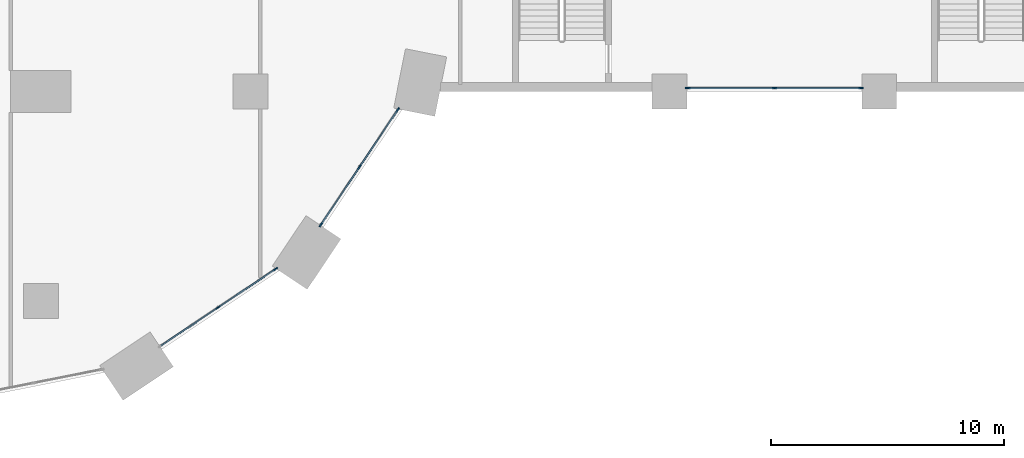
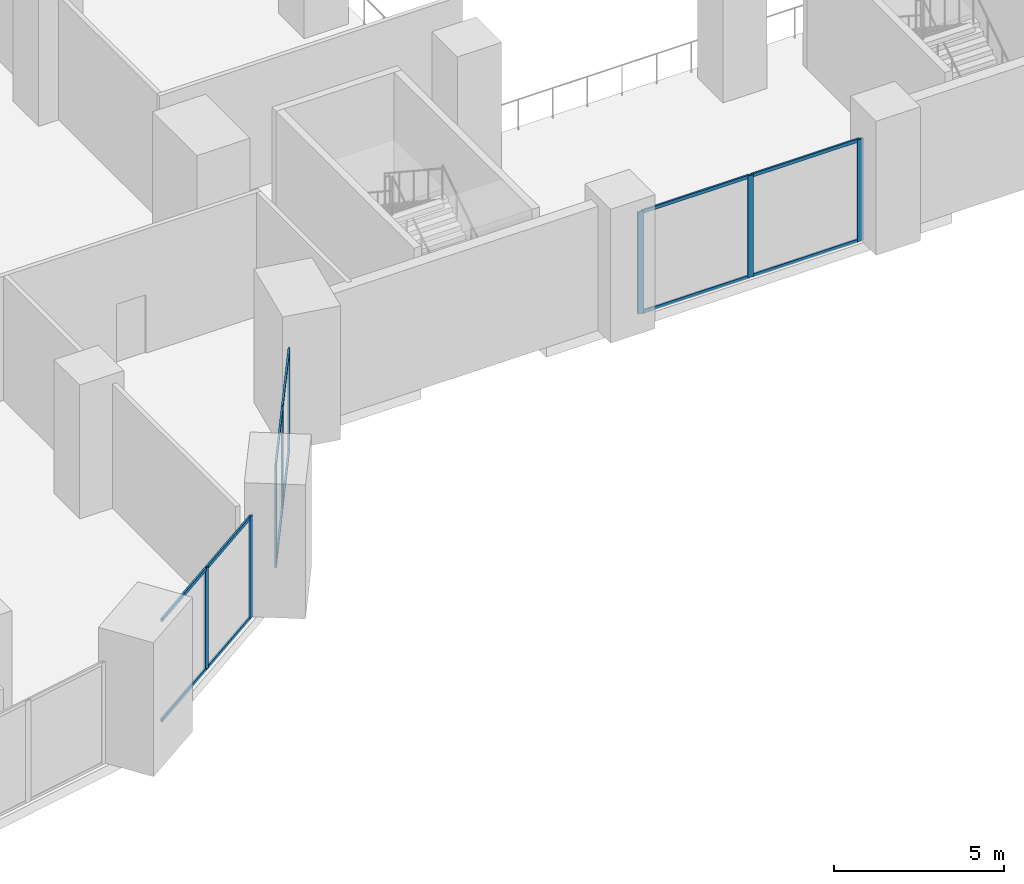
# One storey, part 3 of 49: 20 members, 3 elements without a shape of their own.
"""IFC4 building model written with IfcOpenShell, lengths in metres."""

from ifc_helpers import new_model, si_unit, direction, frame, origin, origin_2d, place, context, subcontext, project, spatial, rectangle, extrude, material, material_profile, profile_set, type_object, element, aggregate, save


model = new_model("IFC4")

# Units and contexts
model_context = context("Model", 3, precision=1e-05, world=origin(), true_north=direction((0.0, 1.0)))
body_context = subcontext(model_context, "Body", "Model", "MODEL_VIEW")
ifc_project = project(units=[si_unit("LENGTHUNIT", "METRE"), si_unit("AREAUNIT", "SQUARE_METRE"), si_unit("VOLUMEUNIT", "CUBIC_METRE"), si_unit("PLANEANGLEUNIT", "RADIAN"), si_unit("MASSUNIT", "GRAM", prefix="KILO")], contexts=[model_context])

# Site, building, storey
site_placement = place(None, origin())
site = spatial("IfcSite", under=ifc_project, at=site_placement, CompositionType="ELEMENT")
building_placement = place(site_placement, origin())
building = spatial("IfcBuilding", under=site, at=building_placement, Name="Hunhe Ridgeline Campus", CompositionType="ELEMENT")
storey_placement = place(building_placement, frame((0.0, 0.0, 21.60009765625)))
storey = spatial("IfcBuildingStorey", under=building, at=storey_placement, Name="L04", CompositionType="ELEMENT", Elevation=21.60009765625)

# Curtain wall, members
ifc_material_1 = material(Name="Aluminium and glass", Category="aluminium")
curtain_wall_type = type_object("IfcCurtainWallType", Name="Podium curtain wall CW-2", PredefinedType="NOTDEFINED", material=ifc_material_1)
curtain_wall_1_placement = place(storey_placement, origin())
curtain_wall_1 = element("IfcCurtainWall", 1, at=curtain_wall_1_placement, inside=storey, type_object=curtain_wall_type, Name="L04 podium curtain wall 14", PredefinedType="NOTDEFINED")
ifc_material_2 = material(Name="Aluminium", Category="aluminium")
ifc_material_profile_1 = material_profile(ifc_material_2, rectangle(XDim=0.06005859375, YDim=0.199951171875, at=origin_2d()))
ifc_profile_set_1 = profile_set([ifc_material_profile_1], Name="Aluminium")
member_type_1 = type_object("IfcMemberType", Name="CW-2 mullion 60x200", PredefinedType="MULLION", material=ifc_profile_set_1)
member_1_placement = place(storey_placement, frame((34.6064453125, 8.729248046875, 0.0), z_axis=(0.0, 0.0, 1.0), x_axis=(-0.555579224709, 0.831463604177, 0.0)))
member_1 = element("IfcMember", 2, at=member_1_placement, type_object=member_type_1, Name="CW2 mullion 2", PredefinedType="MULLION", context=body_context, shape_type="SweptSolid", body=[
    extrude(rectangle(XDim=0.06005859375, YDim=0.199951171875, at=origin_2d()), origin(), (0.0, 0.0, 1.0), 3.64990234375),
])
member_2_placement = place(storey_placement, frame((37.080078125, 10.3818359375, 0.0), z_axis=(0.0, 0.0, 1.0), x_axis=(-0.555579224709, 0.831463604177, 0.0)))
member_2 = element("IfcMember", 3, at=member_2_placement, type_object=member_type_1, Name="CW2 mullion 3", PredefinedType="MULLION", context=body_context, shape_type="SweptSolid", body=[
    extrude(rectangle(XDim=0.06005859375, YDim=0.199951171875, at=origin_2d()), origin(), (0.0, 0.0, 1.0), 3.64990234375),
])

curtain_wall_2_placement = place(storey_placement, origin())
curtain_wall_2 = element("IfcCurtainWall", 4, at=curtain_wall_2_placement, inside=storey, type_object=curtain_wall_type, Name="L04 podium curtain wall 15", PredefinedType="NOTDEFINED")
member_3_placement = place(storey_placement, frame((39.024169921875, 12.279296875, 0.0), z_axis=(0.0, 0.0, 1.0), x_axis=(-0.831468740176, 0.555571538247, 0.0)))
member_3 = element("IfcMember", 5, at=member_3_placement, type_object=member_type_1, Name="CW2 mullion 1", PredefinedType="MULLION", context=body_context, shape_type="SweptSolid", body=[
    extrude(rectangle(XDim=0.06005859375, YDim=0.199951171875, at=origin_2d()), origin(), (0.0, 0.0, 1.0), 3.64990234375),
])
member_4_placement = place(storey_placement, frame((40.6767578125, 14.752685546875, 0.0), z_axis=(0.0, 0.0, 1.0), x_axis=(-0.831468740176, 0.555571538247, 0.0)))
member_4 = element("IfcMember", 6, at=member_4_placement, type_object=member_type_1, Name="CW2 mullion 2", PredefinedType="MULLION", context=body_context, shape_type="SweptSolid", body=[
    extrude(rectangle(XDim=0.06005859375, YDim=0.199951171875, at=origin_2d()), origin(), (0.0, 0.0, 1.0), 3.64990234375),
])
member_5_placement = place(storey_placement, frame((42.32958984375, 17.226318359375, 0.0), z_axis=(0.0, 0.0, 1.0), x_axis=(-0.831468740176, 0.555571538247, 0.0)))
member_5 = element("IfcMember", 7, at=member_5_placement, type_object=member_type_1, Name="CW2 mullion 3", PredefinedType="MULLION", context=body_context, shape_type="SweptSolid", body=[
    extrude(rectangle(XDim=0.06005859375, YDim=0.199951171875, at=origin_2d()), origin(), (0.0, 0.0, 1.0), 3.64990234375),
])

curtain_wall_3_placement = place(storey_placement, origin())
curtain_wall_3 = element("IfcCurtainWall", 8, at=curtain_wall_3_placement, inside=storey, type_object=curtain_wall_type, Name="L04 podium curtain wall 17", PredefinedType="NOTDEFINED")
member_6_placement = place(storey_placement, frame((54.780029296875, 18.14990234375, 0.0), z_axis=(0.0, 0.0, 1.0), x_axis=(0.0, 1.0, 0.0)))
member_6 = element("IfcMember", 9, at=member_6_placement, type_object=member_type_1, Name="CW2 mullion 1", PredefinedType="MULLION", context=body_context, shape_type="SweptSolid", body=[
    extrude(rectangle(XDim=0.06005859375, YDim=0.199951171875, at=origin_2d()), origin(), (0.0, 0.0, 1.0), 3.64990234375),
])
member_7_placement = place(storey_placement, frame((58.5, 18.14990234375, 0.0), z_axis=(0.0, 0.0, 1.0), x_axis=(0.0, 1.0, 0.0)))
member_7 = element("IfcMember", 10, at=member_7_placement, type_object=member_type_1, Name="CW2 mullion 2", PredefinedType="MULLION", context=body_context, shape_type="SweptSolid", body=[
    extrude(rectangle(XDim=0.06005859375, YDim=0.199951171875, at=origin_2d()), origin(), (0.0, 0.0, 1.0), 3.64990234375),
])
member_8_placement = place(storey_placement, frame((62.219970703125, 18.14990234375, 0.0), z_axis=(0.0, 0.0, 1.0), x_axis=(0.0, 1.0, 0.0)))
member_8 = element("IfcMember", 11, at=member_8_placement, type_object=member_type_1, Name="CW2 mullion 3", PredefinedType="MULLION", context=body_context, shape_type="SweptSolid", body=[
    extrude(rectangle(XDim=0.06005859375, YDim=0.199951171875, at=origin_2d()), origin(), (0.0, 0.0, 1.0), 3.64990234375),
])

# Member
ifc_material_profile_2 = material_profile(ifc_material_2, rectangle(XDim=0.06005859375, YDim=0.1201171875, at=origin_2d()))
ifc_profile_set_2 = profile_set([ifc_material_profile_2], Name="Aluminium")
member_type_2 = type_object("IfcMemberType", Name="CW-2 transom 60x120", PredefinedType="USERDEFINED", material=ifc_profile_set_2)
member_9_placement = place(storey_placement, frame((32.157958984375, 7.093017578125, 0.02978515625), z_axis=(0.831469973626, 0.55556969226, 0.0), x_axis=(-0.55556969226, 0.831469973626, 0.0)))
member_9 = element("IfcMember", 12, at=member_9_placement, type_object=member_type_2, Name="CW2 transom 1.1", ObjectType="TRANSOM", PredefinedType="USERDEFINED", context=body_context, shape_type="SweptSolid", body=[
    extrude(rectangle(XDim=0.06005859375, YDim=0.1201171875, at=origin_2d()), origin(), (0.0, 0.0, 1.0), 2.914794921875),
])

member_10_placement = place(storey_placement, frame((32.157958984375, 7.093017578125, 3.619873046875), z_axis=(0.831469973626, 0.55556969226, 0.0), x_axis=(-0.55556969226, 0.831469973626, 0.0)))
member_10 = element("IfcMember", 13, at=member_10_placement, type_object=member_type_2, Name="CW2 transom 1.2", ObjectType="TRANSOM", PredefinedType="USERDEFINED", context=body_context, shape_type="SweptSolid", body=[
    extrude(rectangle(XDim=0.06005859375, YDim=0.1201171875, at=origin_2d()), origin(), (0.0, 0.0, 1.0), 2.914794921875),
])

member_11_placement = place(storey_placement, frame((34.63134765625, 8.745849609375, 0.02978515625), z_axis=(0.831469973626, 0.55556969226, 0.0), x_axis=(-0.55556969226, 0.831469973626, 0.0)))
member_11 = element("IfcMember", 14, at=member_11_placement, type_object=member_type_2, Name="CW2 transom 2.1", ObjectType="TRANSOM", PredefinedType="USERDEFINED", context=body_context, shape_type="SweptSolid", body=[
    extrude(rectangle(XDim=0.06005859375, YDim=0.1201171875, at=origin_2d()), origin(), (0.0, 0.0, 1.0), 2.914794921875),
])

member_12_placement = place(storey_placement, frame((34.63134765625, 8.745849609375, 3.619873046875), z_axis=(0.831469973626, 0.55556969226, 0.0), x_axis=(-0.55556969226, 0.831469973626, 0.0)))
member_12 = element("IfcMember", 15, at=member_12_placement, type_object=member_type_2, Name="CW2 transom 2.2", ObjectType="TRANSOM", PredefinedType="USERDEFINED", context=body_context, shape_type="SweptSolid", body=[
    extrude(rectangle(XDim=0.06005859375, YDim=0.1201171875, at=origin_2d()), origin(), (0.0, 0.0, 1.0), 2.914794921875),
])

aggregate(curtain_wall_1, [member_1, member_2, member_9, member_10, member_11, member_12])

member_13_placement = place(storey_placement, frame((39.040771484375, 12.30419921875, 0.02978515625), z_axis=(0.55556969226, 0.831469973626, 0.0), x_axis=(-0.831469973626, 0.55556969226, 0.0)))
member_13 = element("IfcMember", 16, at=member_13_placement, type_object=member_type_2, Name="CW2 transom 1.1", ObjectType="TRANSOM", PredefinedType="USERDEFINED", context=body_context, shape_type="SweptSolid", body=[
    extrude(rectangle(XDim=0.06005859375, YDim=0.1201171875, at=origin_2d()), origin(), (0.0, 0.0, 1.0), 2.914794921875),
])

member_14_placement = place(storey_placement, frame((39.040771484375, 12.30419921875, 3.619873046875), z_axis=(0.55556969226, 0.831469973626, 0.0), x_axis=(-0.831469973626, 0.55556969226, 0.0)))
member_14 = element("IfcMember", 17, at=member_14_placement, type_object=member_type_2, Name="CW2 transom 1.2", ObjectType="TRANSOM", PredefinedType="USERDEFINED", context=body_context, shape_type="SweptSolid", body=[
    extrude(rectangle(XDim=0.06005859375, YDim=0.1201171875, at=origin_2d()), origin(), (0.0, 0.0, 1.0), 2.914794921875),
])

member_15_placement = place(storey_placement, frame((40.693603515625, 14.77783203125, 0.02978515625), z_axis=(0.55556969226, 0.831469973626, 0.0), x_axis=(-0.831469973626, 0.55556969226, 0.0)))
member_15 = element("IfcMember", 18, at=member_15_placement, type_object=member_type_2, Name="CW2 transom 2.1", ObjectType="TRANSOM", PredefinedType="USERDEFINED", context=body_context, shape_type="SweptSolid", body=[
    extrude(rectangle(XDim=0.06005859375, YDim=0.1201171875, at=origin_2d()), origin(), (0.0, 0.0, 1.0), 2.914794921875),
])

member_16_placement = place(storey_placement, frame((40.693603515625, 14.77783203125, 3.619873046875), z_axis=(0.55556969226, 0.831469973626, 0.0), x_axis=(-0.831469973626, 0.55556969226, 0.0)))
member_16 = element("IfcMember", 19, at=member_16_placement, type_object=member_type_2, Name="CW2 transom 2.2", ObjectType="TRANSOM", PredefinedType="USERDEFINED", context=body_context, shape_type="SweptSolid", body=[
    extrude(rectangle(XDim=0.06005859375, YDim=0.1201171875, at=origin_2d()), origin(), (0.0, 0.0, 1.0), 2.914794921875),
])

aggregate(curtain_wall_2, [member_3, member_4, member_5, member_13, member_14, member_15, member_16])

member_17_placement = place(storey_placement, frame((54.81005859375, 18.14990234375, 0.02978515625), z_axis=(1.0, 0.0, 0.0), x_axis=(0.0, 1.0, 0.0)))
member_17 = element("IfcMember", 20, at=member_17_placement, type_object=member_type_2, Name="CW2 transom 1.1", ObjectType="TRANSOM", PredefinedType="USERDEFINED", context=body_context, shape_type="SweptSolid", body=[
    extrude(rectangle(XDim=0.06005859375, YDim=0.1201171875, at=origin_2d()), origin(), (0.0, 0.0, 1.0), 3.659912109375),
])

member_18_placement = place(storey_placement, frame((54.81005859375, 18.14990234375, 3.619873046875), z_axis=(1.0, 0.0, 0.0), x_axis=(0.0, 1.0, 0.0)))
member_18 = element("IfcMember", 21, at=member_18_placement, type_object=member_type_2, Name="CW2 transom 1.2", ObjectType="TRANSOM", PredefinedType="USERDEFINED", context=body_context, shape_type="SweptSolid", body=[
    extrude(rectangle(XDim=0.06005859375, YDim=0.1201171875, at=origin_2d()), origin(), (0.0, 0.0, 1.0), 3.659912109375),
])

member_19_placement = place(storey_placement, frame((58.530029296875, 18.14990234375, 0.02978515625), z_axis=(1.0, 0.0, 0.0), x_axis=(0.0, 1.0, 0.0)))
member_19 = element("IfcMember", 22, at=member_19_placement, type_object=member_type_2, Name="CW2 transom 2.1", ObjectType="TRANSOM", PredefinedType="USERDEFINED", context=body_context, shape_type="SweptSolid", body=[
    extrude(rectangle(XDim=0.06005859375, YDim=0.1201171875, at=origin_2d()), origin(), (0.0, 0.0, 1.0), 3.659912109375),
])

member_20_placement = place(storey_placement, frame((58.530029296875, 18.14990234375, 3.619873046875), z_axis=(1.0, 0.0, 0.0), x_axis=(0.0, 1.0, 0.0)))
member_20 = element("IfcMember", 23, at=member_20_placement, type_object=member_type_2, Name="CW2 transom 2.2", ObjectType="TRANSOM", PredefinedType="USERDEFINED", context=body_context, shape_type="SweptSolid", body=[
    extrude(rectangle(XDim=0.06005859375, YDim=0.1201171875, at=origin_2d()), origin(), (0.0, 0.0, 1.0), 3.659912109375),
])

aggregate(curtain_wall_3, [member_6, member_7, member_8, member_17, member_18, member_19, member_20])

save(model, "model.ifc")
